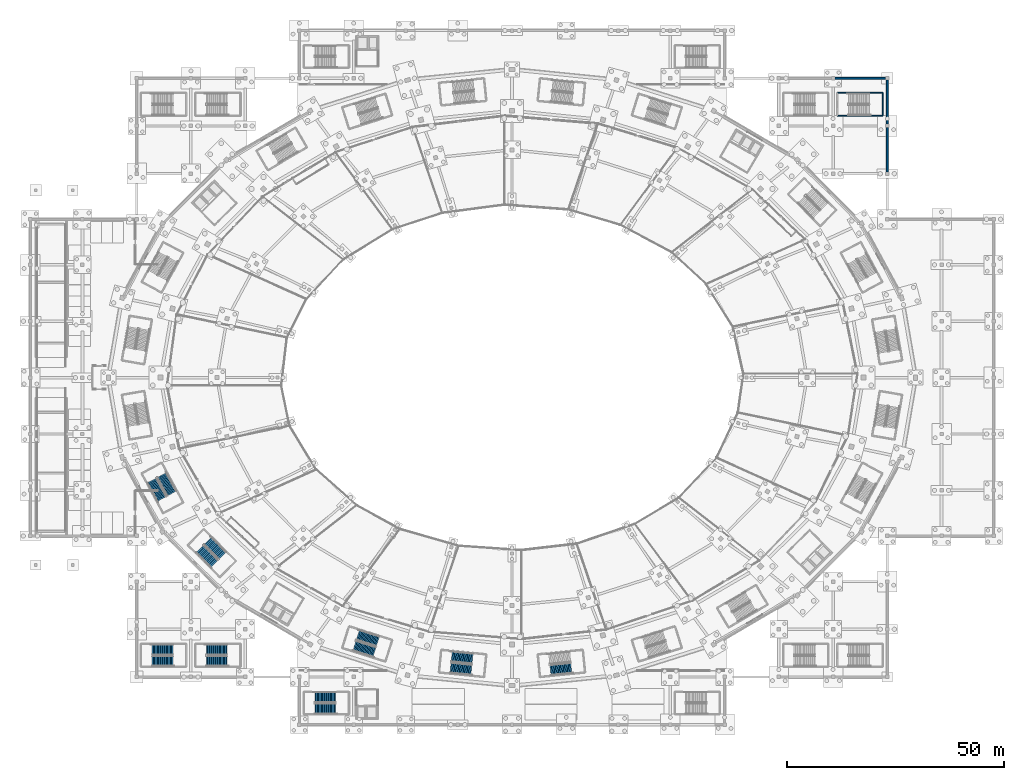
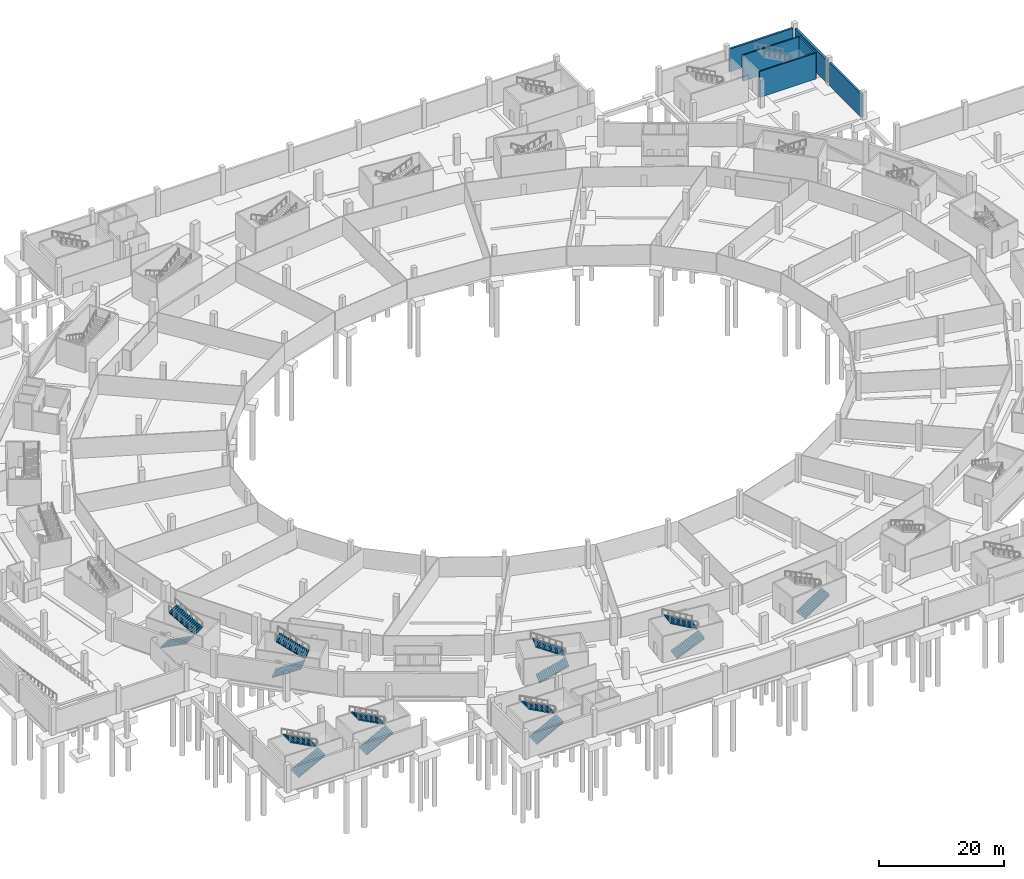
# One storey, part 48 of 74: 15 stair flights, 6 walls, 8 elements without a shape of their own.
"""IFC4 building model written with IfcOpenShell, lengths in metres."""

from ifc_helpers import new_model, si_unit, direction, frame, frame_2d, origin, place, context, subcontext, project, spatial, polyline, rectangle, outline, extrude, material, layer, layer_set, type_object, element, aggregate, save


model = new_model("IFC4")

# Units and contexts
model_context = context("Model", 3, precision=1e-05, world=origin(), true_north=direction((0.0, 1.0)))
body_context = subcontext(model_context, "Body", "Model", "MODEL_VIEW")
ifc_project = project(units=[si_unit("LENGTHUNIT", "METRE"), si_unit("AREAUNIT", "SQUARE_METRE"), si_unit("VOLUMEUNIT", "CUBIC_METRE"), si_unit("PLANEANGLEUNIT", "RADIAN"), si_unit("MASSUNIT", "GRAM", prefix="KILO")], contexts=[model_context])

# Site, building, storey
site_placement = place(None, origin())
site = spatial("IfcSite", under=ifc_project, at=site_placement, CompositionType="ELEMENT")
building_placement = place(site_placement, origin())
building = spatial("IfcBuilding", under=site, at=building_placement, Name="Zlatoyarsky Gate Stadium", CompositionType="ELEMENT")
storey_placement = place(building_placement, frame((0.0, 0.0, -5.39990234375)))
storey = spatial("IfcBuildingStorey", under=building, at=storey_placement, Name="B1", CompositionType="ELEMENT", Elevation=-5.39990234375)

# Walls
ifc_material_1 = material(Name="Concrete C35/45", Category="concrete")
ifc_layer_1 = layer(ifc_material_1, 0.3798828125)
ifc_layer_set_1 = layer_set([ifc_layer_1], Name="Concrete C35/45")
wall_type_1 = type_object("IfcWallType", Name="CONCRETE RAMP RETAINING WALL 380", PredefinedType="SOLIDWALL", material=ifc_layer_set_1)
wall_1_placement = place(storey_placement, frame((185.39697265625, 149.0, 0.0), z_axis=(0.0, 0.0, 1.0), x_axis=(1.0, 0.0, 0.0)))
element("IfcWall", 1, at=wall_1_placement, inside=storey, type_object=wall_type_1, Name="V6_NE B1 N exterior wall", PredefinedType="SOLIDWALL", context=body_context, shape_type="SweptSolid", body=[
    extrude(rectangle(XDim=11.7060546875, YDim=0.3798828125, at=frame_2d((5.85302734375, 0.0))), origin(), (0.0, 0.0, 1.0), 4.429931640625),
])
for number, where, z_axis, x_axis, name in (
    (2, (197.5, 127.39697265625, 0.0), (0.0, 0.0, 1.0), (0.0, 1.0, 0.0), "V6_NE B1 E exterior wall"),
    (3, (197.5, 138.39697265625, 0.0), (0.0, 0.0, 1.0), (0.0, 1.0, 0.0), "V6_NE B1 E exterior wall"),
):
    element("IfcWall", number, at=place(storey_placement, frame(where, z_axis=z_axis, x_axis=x_axis)), inside=storey, type_object=wall_type_1, Name=name, PredefinedType="SOLIDWALL", context=body_context, shape_type="SweptSolid", body=[
        extrude(rectangle(XDim=10.2060546875, YDim=0.3798828125, at=frame_2d((5.10302734375, 0.0))), origin(), (0.0, 0.0, 1.0), 4.429931640625),
    ])
ifc_material_2 = material(Name="Concrete C40/50", Category="concrete")
ifc_layer_2 = layer(ifc_material_2, 0.25)
ifc_layer_set_2 = layer_set([ifc_layer_2], Name="Concrete C40/50")
wall_type_2 = type_object("IfcWallType", Name="CONCRETE STAIR CORE SHEAR WALL 250", PredefinedType="SHEAR", material=ifc_layer_set_2)
wall_2_placement = place(storey_placement, frame((185.97509765625, 140.375, 0.0), z_axis=(0.0, 0.0, 1.0), x_axis=(1.0, 0.0, 0.0)))
element("IfcWall", 4, at=wall_2_placement, inside=storey, type_object=wall_type_2, Name="ST-28 B1 stair core left shear wall", PredefinedType="SHEAR", context=body_context, shape_type="SweptSolid", body=[
    extrude(rectangle(XDim=10.449951171875, YDim=0.25, at=frame_2d((5.22509765625, 0.0))), origin(), (0.0, 0.0, 1.0), 5.0498046875),
])
wall_3_placement = place(storey_placement, frame((196.425048828125, 140.375, 0.0), z_axis=(0.0, 0.0, 1.0), x_axis=(0.0, 1.0, 0.0)))
element("IfcWall", 5, at=wall_3_placement, inside=storey, type_object=wall_type_2, Name="ST-28 B1 stair core far shear wall", PredefinedType="SHEAR", context=body_context, shape_type="SweptSolid", body=[
    extrude(rectangle(XDim=5.25, YDim=0.25, at=frame_2d((2.625, 0.0))), origin(), (0.0, 0.0, 1.0), 5.0498046875),
])
wall_4_placement = place(storey_placement, frame((196.425048828125, 145.625, 0.0), z_axis=(0.0, 0.0, 1.0), x_axis=(-1.0, 0.0, 0.0)))
element("IfcWall", 6, at=wall_4_placement, inside=storey, type_object=wall_type_2, Name="ST-28 B1 stair core right shear wall", PredefinedType="SHEAR", context=body_context, shape_type="SweptSolid", body=[
    extrude(rectangle(XDim=10.449951171875, YDim=0.25, at=frame_2d((5.22509765625, 0.0))), origin(), (0.0, 0.0, 1.0), 5.0498046875),
])

# Stair, stair flights
stair_type = type_object("IfcStairType", Name="CONCRETE DOGLEG EXIT STAIR H5400", PredefinedType="TWO_STRAIGHT_RUN_STAIR", material=ifc_material_2)
stair_1_placement = place(storey_placement, origin())
stair_1 = element("IfcStair", 7, at=stair_1_placement, inside=storey, type_object=stair_type, Name="B1 Exit Stair ST-08", PredefinedType="TWO_STRAIGHT_RUN_STAIR")
stair_flight_type = type_object("IfcStairFlightType", Name="CONCRETE STAIR FLIGHT 2400 H5400", PredefinedType="STRAIGHT", material=ifc_material_2)
stair_flight_1_placement = place(storey_placement, frame((39.01806640625, 40.50341796875, 0.0), z_axis=(0.0, 0.0, 1.0), x_axis=(0.708901395436, -0.70530760066, 0.0)))
stair_flight_1 = element("IfcStairFlight", 8, at=stair_flight_1_placement, type_object=stair_flight_type, Name="ST-DG54 flight 1", NumberOfRisers=17, NumberOfTreads=16, PredefinedType="STRAIGHT", RiserHeight=0.158823529, TreadLength=0.3, context=body_context, shape_type="SweptSolid", body=[
    extrude(outline(polyline([(-0.006103515625, -0.180908203125), (-0.006103515625, 0.0), (0.0, 0.0), (0.0, 0.158935546875), (0.300048828125, 0.158935546875), (0.300048828125, 0.317626953125), (0.60009765625, 0.317626953125), (0.60009765625, 0.4765625), (0.89990234375, 0.4765625), (0.89990234375, 0.63525390625), (1.199951171875, 0.63525390625), (1.199951171875, 0.794189453125), (1.5, 0.794189453125), (1.5, 0.952880859375), (1.800048828125, 0.952880859375), (1.800048828125, 1.11181640625), (2.10009765625, 1.11181640625), (2.10009765625, 1.2705078125), (2.39990234375, 1.2705078125), (2.39990234375, 1.429443359375), (2.699951171875, 1.429443359375), (2.699951171875, 1.588134765625), (3.0, 1.588134765625), (3.0, 1.7470703125), (3.300048828125, 1.7470703125), (3.300048828125, 1.90576171875), (3.60009765625, 1.90576171875), (3.60009765625, 2.064697265625), (3.89990234375, 2.064697265625), (3.89990234375, 2.2236328125), (4.199951171875, 2.2236328125), (4.199951171875, 2.38232421875), (4.5, 2.38232421875), (4.5, 2.541259765625), (4.800048828125, 2.541259765625), (4.800048828125, 2.699951171875), (4.805908203125, 2.699951171875), (4.805908203125, 2.3603515625), (4.800048828125, 2.3603515625), (-0.006103515625, -0.180908203125)])), frame((0.0, 1.199951171875, 0.0), z_axis=(0.0, -1.0, 0.0), x_axis=(1.0, 0.0, 0.0)), (0.0, 0.0, 1.0), 2.39990234375),
])
stair_flight_2_placement = place(storey_placement, frame((44.254638671875, 38.9609375, 2.699951171875), z_axis=(0.0, 0.0, 1.0), x_axis=(-0.708901395436, 0.70530760066, 0.0)))
stair_flight_2 = element("IfcStairFlight", 9, at=stair_flight_2_placement, type_object=stair_flight_type, Name="ST-DG54 flight 2", NumberOfRisers=17, NumberOfTreads=16, PredefinedType="STRAIGHT", RiserHeight=0.158823529, TreadLength=0.3, context=body_context, shape_type="SweptSolid", body=[
    extrude(outline(polyline([(-0.006103515625, -0.180908203125), (-0.006103515625, 0.0), (0.0, 0.0), (0.0, 0.158935546875), (0.300048828125, 0.158935546875), (0.300048828125, 0.317626953125), (0.60009765625, 0.317626953125), (0.60009765625, 0.4765625), (0.89990234375, 0.4765625), (0.89990234375, 0.63525390625), (1.199951171875, 0.63525390625), (1.199951171875, 0.794189453125), (1.5, 0.794189453125), (1.5, 0.952880859375), (1.800048828125, 0.952880859375), (1.800048828125, 1.11181640625), (2.10009765625, 1.11181640625), (2.10009765625, 1.2705078125), (2.39990234375, 1.2705078125), (2.39990234375, 1.429443359375), (2.699951171875, 1.429443359375), (2.699951171875, 1.588134765625), (3.0, 1.588134765625), (3.0, 1.7470703125), (3.300048828125, 1.7470703125), (3.300048828125, 1.90576171875), (3.60009765625, 1.90576171875), (3.60009765625, 2.064697265625), (3.89990234375, 2.064697265625), (3.89990234375, 2.2236328125), (4.199951171875, 2.2236328125), (4.199951171875, 2.38232421875), (4.5, 2.38232421875), (4.5, 2.541259765625), (4.800048828125, 2.541259765625), (4.800048828125, 2.699951171875), (4.805908203125, 2.699951171875), (4.805908203125, 2.3603515625), (4.800048828125, 2.3603515625), (-0.006103515625, -0.180908203125)])), frame((0.0, 1.199951171875, 0.0), z_axis=(0.0, -1.0, 0.0), x_axis=(1.0, 0.0, 0.0)), (0.0, 0.0, 1.0), 2.39990234375),
])
aggregate(stair_1, [stair_flight_1, stair_flight_2])

stair_2_placement = place(storey_placement, origin())
stair_2 = element("IfcStair", 10, at=stair_2_placement, inside=storey, type_object=stair_type, Name="B1 Exit Stair ST-09", PredefinedType="TWO_STRAIGHT_RUN_STAIR")
stair_flight_3_placement = place(storey_placement, frame((74.70849609375, 18.179931640625, 0.0), z_axis=(0.0, 0.0, 1.0), x_axis=(0.953463118711, -0.301509670257, 0.0)))
stair_flight_3 = element("IfcStairFlight", 11, at=stair_flight_3_placement, type_object=stair_flight_type, Name="ST-DG54 flight 1", NumberOfRisers=17, NumberOfTreads=16, PredefinedType="STRAIGHT", RiserHeight=0.158823529, TreadLength=0.3, context=body_context, shape_type="SweptSolid", body=[
    extrude(outline(polyline([(-0.006103515625, -0.180908203125), (-0.006103515625, 0.0), (0.0, 0.0), (0.0, 0.158935546875), (0.300048828125, 0.158935546875), (0.300048828125, 0.317626953125), (0.60009765625, 0.317626953125), (0.60009765625, 0.4765625), (0.89990234375, 0.4765625), (0.89990234375, 0.63525390625), (1.199951171875, 0.63525390625), (1.199951171875, 0.794189453125), (1.5, 0.794189453125), (1.5, 0.952880859375), (1.800048828125, 0.952880859375), (1.800048828125, 1.11181640625), (2.10009765625, 1.11181640625), (2.10009765625, 1.2705078125), (2.39990234375, 1.2705078125), (2.39990234375, 1.429443359375), (2.699951171875, 1.429443359375), (2.699951171875, 1.588134765625), (3.0, 1.588134765625), (3.0, 1.7470703125), (3.300048828125, 1.7470703125), (3.300048828125, 1.90576171875), (3.60009765625, 1.90576171875), (3.60009765625, 2.064697265625), (3.89990234375, 2.064697265625), (3.89990234375, 2.2236328125), (4.199951171875, 2.2236328125), (4.199951171875, 2.38232421875), (4.5, 2.38232421875), (4.5, 2.541259765625), (4.800048828125, 2.541259765625), (4.800048828125, 2.699951171875), (4.805908203125, 2.699951171875), (4.805908203125, 2.3603515625), (4.800048828125, 2.3603515625), (-0.006103515625, -0.180908203125)])), frame((0.0, 1.199951171875, 0.0), z_axis=(0.0, -1.0, 0.0), x_axis=(1.0, 0.0, 0.0)), (0.0, 0.0, 1.0), 2.39990234375),
])
stair_flight_4_placement = place(storey_placement, frame((80.069091796875, 19.211669921875, 2.699951171875), z_axis=(0.0, 0.0, 1.0), x_axis=(-0.953463118711, 0.301509670257, 0.0)))
stair_flight_4 = element("IfcStairFlight", 12, at=stair_flight_4_placement, type_object=stair_flight_type, Name="ST-DG54 flight 2", NumberOfRisers=17, NumberOfTreads=16, PredefinedType="STRAIGHT", RiserHeight=0.158823529, TreadLength=0.3, context=body_context, shape_type="SweptSolid", body=[
    extrude(outline(polyline([(-0.006103515625, -0.180908203125), (-0.006103515625, 0.0), (0.0, 0.0), (0.0, 0.158935546875), (0.300048828125, 0.158935546875), (0.300048828125, 0.317626953125), (0.60009765625, 0.317626953125), (0.60009765625, 0.4765625), (0.89990234375, 0.4765625), (0.89990234375, 0.63525390625), (1.199951171875, 0.63525390625), (1.199951171875, 0.794189453125), (1.5, 0.794189453125), (1.5, 0.952880859375), (1.800048828125, 0.952880859375), (1.800048828125, 1.11181640625), (2.10009765625, 1.11181640625), (2.10009765625, 1.2705078125), (2.39990234375, 1.2705078125), (2.39990234375, 1.429443359375), (2.699951171875, 1.429443359375), (2.699951171875, 1.588134765625), (3.0, 1.588134765625), (3.0, 1.7470703125), (3.300048828125, 1.7470703125), (3.300048828125, 1.90576171875), (3.60009765625, 1.90576171875), (3.60009765625, 2.064697265625), (3.89990234375, 2.064697265625), (3.89990234375, 2.2236328125), (4.199951171875, 2.2236328125), (4.199951171875, 2.38232421875), (4.5, 2.38232421875), (4.5, 2.541259765625), (4.800048828125, 2.541259765625), (4.800048828125, 2.699951171875), (4.805908203125, 2.699951171875), (4.805908203125, 2.3603515625), (4.800048828125, 2.3603515625), (-0.006103515625, -0.180908203125)])), frame((0.0, 1.199951171875, 0.0), z_axis=(0.0, -1.0, 0.0), x_axis=(1.0, 0.0, 0.0)), (0.0, 0.0, 1.0), 2.39990234375),
])
aggregate(stair_2, [stair_flight_3, stair_flight_4])

# Stair, stair flight
stair_3_placement = place(storey_placement, origin())
stair_3 = element("IfcStair", 13, at=stair_3_placement, inside=storey, type_object=stair_type, Name="B1 Exit Stair ST-10", PredefinedType="TWO_STRAIGHT_RUN_STAIR")
stair_flight_5_placement = place(storey_placement, frame((119.876220703125, 12.5732421875, 0.0), z_axis=(0.0, 0.0, 1.0), x_axis=(0.994986861964, 0.100005722426, 0.0)))
stair_flight_5 = element("IfcStairFlight", 14, at=stair_flight_5_placement, type_object=stair_flight_type, Name="ST-DG54 flight 1", NumberOfRisers=17, NumberOfTreads=16, PredefinedType="STRAIGHT", RiserHeight=0.158823529, TreadLength=0.3, context=body_context, shape_type="SweptSolid", body=[
    extrude(outline(polyline([(-0.006103515625, -0.180908203125), (-0.006103515625, 0.0), (0.0, 0.0), (0.0, 0.158935546875), (0.300048828125, 0.158935546875), (0.300048828125, 0.317626953125), (0.60009765625, 0.317626953125), (0.60009765625, 0.4765625), (0.89990234375, 0.4765625), (0.89990234375, 0.63525390625), (1.199951171875, 0.63525390625), (1.199951171875, 0.794189453125), (1.5, 0.794189453125), (1.5, 0.952880859375), (1.800048828125, 0.952880859375), (1.800048828125, 1.11181640625), (2.10009765625, 1.11181640625), (2.10009765625, 1.2705078125), (2.39990234375, 1.2705078125), (2.39990234375, 1.429443359375), (2.699951171875, 1.429443359375), (2.699951171875, 1.588134765625), (3.0, 1.588134765625), (3.0, 1.7470703125), (3.300048828125, 1.7470703125), (3.300048828125, 1.90576171875), (3.60009765625, 1.90576171875), (3.60009765625, 2.064697265625), (3.89990234375, 2.064697265625), (3.89990234375, 2.2236328125), (4.199951171875, 2.2236328125), (4.199951171875, 2.38232421875), (4.5, 2.38232421875), (4.5, 2.541259765625), (4.800048828125, 2.541259765625), (4.800048828125, 2.699951171875), (4.805908203125, 2.699951171875), (4.805908203125, 2.3603515625), (4.800048828125, 2.3603515625), (-0.006103515625, -0.180908203125)])), frame((0.0, 1.199951171875, 0.0), z_axis=(0.0, -1.0, 0.0), x_axis=(1.0, 0.0, 0.0)), (0.0, 0.0, 1.0), 2.39990234375),
])
aggregate(stair_3, [stair_flight_5])

# Stair, stair flights
stair_4_placement = place(storey_placement, origin())
stair_4 = element("IfcStair", 15, at=stair_4_placement, inside=storey, type_object=stair_type, Name="B1 Exit Stair ST-15", PredefinedType="TWO_STRAIGHT_RUN_STAIR")
stair_flight_6_placement = place(storey_placement, frame((28.0244140625, 56.284912109375, 0.0), z_axis=(0.0, 0.0, 1.0), x_axis=(0.476890318595, -0.878962811518, 0.0)))
stair_flight_6 = element("IfcStairFlight", 16, at=stair_flight_6_placement, type_object=stair_flight_type, Name="ST-DG54 flight 1", NumberOfRisers=17, NumberOfTreads=16, PredefinedType="STRAIGHT", RiserHeight=0.158823529, TreadLength=0.3, context=body_context, shape_type="SweptSolid", body=[
    extrude(outline(polyline([(-0.006103515625, -0.180908203125), (-0.006103515625, 0.0), (0.0, 0.0), (0.0, 0.158935546875), (0.300048828125, 0.158935546875), (0.300048828125, 0.317626953125), (0.60009765625, 0.317626953125), (0.60009765625, 0.4765625), (0.89990234375, 0.4765625), (0.89990234375, 0.63525390625), (1.199951171875, 0.63525390625), (1.199951171875, 0.794189453125), (1.5, 0.794189453125), (1.5, 0.952880859375), (1.800048828125, 0.952880859375), (1.800048828125, 1.11181640625), (2.10009765625, 1.11181640625), (2.10009765625, 1.2705078125), (2.39990234375, 1.2705078125), (2.39990234375, 1.429443359375), (2.699951171875, 1.429443359375), (2.699951171875, 1.588134765625), (3.0, 1.588134765625), (3.0, 1.7470703125), (3.300048828125, 1.7470703125), (3.300048828125, 1.90576171875), (3.60009765625, 1.90576171875), (3.60009765625, 2.064697265625), (3.89990234375, 2.064697265625), (3.89990234375, 2.2236328125), (4.199951171875, 2.2236328125), (4.199951171875, 2.38232421875), (4.5, 2.38232421875), (4.5, 2.541259765625), (4.800048828125, 2.541259765625), (4.800048828125, 2.699951171875), (4.805908203125, 2.699951171875), (4.805908203125, 2.3603515625), (4.800048828125, 2.3603515625), (-0.006103515625, -0.180908203125)])), frame((0.0, 1.199951171875, 0.0), z_axis=(0.0, -1.0, 0.0), x_axis=(1.0, 0.0, 0.0)), (0.0, 0.0, 1.0), 2.39990234375),
])
stair_flight_7_placement = place(storey_placement, frame((32.5986328125, 53.305908203125, 2.699951171875), z_axis=(0.0, 0.0, 1.0), x_axis=(-0.476890318595, 0.878962811518, 0.0)))
stair_flight_7 = element("IfcStairFlight", 17, at=stair_flight_7_placement, type_object=stair_flight_type, Name="ST-DG54 flight 2", NumberOfRisers=17, NumberOfTreads=16, PredefinedType="STRAIGHT", RiserHeight=0.158823529, TreadLength=0.3, context=body_context, shape_type="SweptSolid", body=[
    extrude(outline(polyline([(-0.006103515625, -0.180908203125), (-0.006103515625, 0.0), (0.0, 0.0), (0.0, 0.158935546875), (0.300048828125, 0.158935546875), (0.300048828125, 0.317626953125), (0.60009765625, 0.317626953125), (0.60009765625, 0.4765625), (0.89990234375, 0.4765625), (0.89990234375, 0.63525390625), (1.199951171875, 0.63525390625), (1.199951171875, 0.794189453125), (1.5, 0.794189453125), (1.5, 0.952880859375), (1.800048828125, 0.952880859375), (1.800048828125, 1.11181640625), (2.10009765625, 1.11181640625), (2.10009765625, 1.2705078125), (2.39990234375, 1.2705078125), (2.39990234375, 1.429443359375), (2.699951171875, 1.429443359375), (2.699951171875, 1.588134765625), (3.0, 1.588134765625), (3.0, 1.7470703125), (3.300048828125, 1.7470703125), (3.300048828125, 1.90576171875), (3.60009765625, 1.90576171875), (3.60009765625, 2.064697265625), (3.89990234375, 2.064697265625), (3.89990234375, 2.2236328125), (4.199951171875, 2.2236328125), (4.199951171875, 2.38232421875), (4.5, 2.38232421875), (4.5, 2.541259765625), (4.800048828125, 2.541259765625), (4.800048828125, 2.699951171875), (4.805908203125, 2.699951171875), (4.805908203125, 2.3603515625), (4.800048828125, 2.3603515625), (-0.006103515625, -0.180908203125)])), frame((0.0, 1.199951171875, 0.0), z_axis=(0.0, -1.0, 0.0), x_axis=(1.0, 0.0, 0.0)), (0.0, 0.0, 1.0), 2.39990234375),
])
aggregate(stair_4, [stair_flight_6, stair_flight_7])

stair_5_placement = place(storey_placement, origin())
stair_5 = element("IfcStair", 18, at=stair_5_placement, inside=storey, type_object=stair_type, Name="B1 Exit Stair ST-19", PredefinedType="TWO_STRAIGHT_RUN_STAIR")
stair_flight_8_placement = place(storey_placement, frame((96.850341796875, 13.103271484375, 0.0), z_axis=(0.0, 0.0, 1.0), x_axis=(0.994986861964, -0.100005722426, 0.0)))
stair_flight_8 = element("IfcStairFlight", 19, at=stair_flight_8_placement, type_object=stair_flight_type, Name="ST-DG54 flight 1", NumberOfRisers=17, NumberOfTreads=16, PredefinedType="STRAIGHT", RiserHeight=0.158823529, TreadLength=0.3, context=body_context, shape_type="SweptSolid", body=[
    extrude(outline(polyline([(-0.006103515625, -0.180908203125), (-0.006103515625, 0.0), (0.0, 0.0), (0.0, 0.158935546875), (0.300048828125, 0.158935546875), (0.300048828125, 0.317626953125), (0.60009765625, 0.317626953125), (0.60009765625, 0.4765625), (0.89990234375, 0.4765625), (0.89990234375, 0.63525390625), (1.199951171875, 0.63525390625), (1.199951171875, 0.794189453125), (1.5, 0.794189453125), (1.5, 0.952880859375), (1.800048828125, 0.952880859375), (1.800048828125, 1.11181640625), (2.10009765625, 1.11181640625), (2.10009765625, 1.2705078125), (2.39990234375, 1.2705078125), (2.39990234375, 1.429443359375), (2.699951171875, 1.429443359375), (2.699951171875, 1.588134765625), (3.0, 1.588134765625), (3.0, 1.7470703125), (3.300048828125, 1.7470703125), (3.300048828125, 1.90576171875), (3.60009765625, 1.90576171875), (3.60009765625, 2.064697265625), (3.89990234375, 2.064697265625), (3.89990234375, 2.2236328125), (4.199951171875, 2.2236328125), (4.199951171875, 2.38232421875), (4.5, 2.38232421875), (4.5, 2.541259765625), (4.800048828125, 2.541259765625), (4.800048828125, 2.699951171875), (4.805908203125, 2.699951171875), (4.805908203125, 2.3603515625), (4.800048828125, 2.3603515625), (-0.006103515625, -0.180908203125)])), frame((0.0, 1.199951171875, 0.0), z_axis=(0.0, -1.0, 0.0), x_axis=(1.0, 0.0, 0.0)), (0.0, 0.0, 1.0), 2.39990234375),
])
stair_flight_9_placement = place(storey_placement, frame((101.886474609375, 15.210205078125, 2.699951171875), z_axis=(0.0, 0.0, 1.0), x_axis=(-0.994986861964, 0.100005722426, 0.0)))
stair_flight_9 = element("IfcStairFlight", 20, at=stair_flight_9_placement, type_object=stair_flight_type, Name="ST-DG54 flight 2", NumberOfRisers=17, NumberOfTreads=16, PredefinedType="STRAIGHT", RiserHeight=0.158823529, TreadLength=0.3, context=body_context, shape_type="SweptSolid", body=[
    extrude(outline(polyline([(-0.006103515625, -0.180908203125), (-0.006103515625, 0.0), (0.0, 0.0), (0.0, 0.158935546875), (0.300048828125, 0.158935546875), (0.300048828125, 0.317626953125), (0.60009765625, 0.317626953125), (0.60009765625, 0.4765625), (0.89990234375, 0.4765625), (0.89990234375, 0.63525390625), (1.199951171875, 0.63525390625), (1.199951171875, 0.794189453125), (1.5, 0.794189453125), (1.5, 0.952880859375), (1.800048828125, 0.952880859375), (1.800048828125, 1.11181640625), (2.10009765625, 1.11181640625), (2.10009765625, 1.2705078125), (2.39990234375, 1.2705078125), (2.39990234375, 1.429443359375), (2.699951171875, 1.429443359375), (2.699951171875, 1.588134765625), (3.0, 1.588134765625), (3.0, 1.7470703125), (3.300048828125, 1.7470703125), (3.300048828125, 1.90576171875), (3.60009765625, 1.90576171875), (3.60009765625, 2.064697265625), (3.89990234375, 2.064697265625), (3.89990234375, 2.2236328125), (4.199951171875, 2.2236328125), (4.199951171875, 2.38232421875), (4.5, 2.38232421875), (4.5, 2.541259765625), (4.800048828125, 2.541259765625), (4.800048828125, 2.699951171875), (4.805908203125, 2.699951171875), (4.805908203125, 2.3603515625), (4.800048828125, 2.3603515625), (-0.006103515625, -0.180908203125)])), frame((0.0, 1.199951171875, 0.0), z_axis=(0.0, -1.0, 0.0), x_axis=(1.0, 0.0, 0.0)), (0.0, 0.0, 1.0), 2.39990234375),
])
aggregate(stair_5, [stair_flight_8, stair_flight_9])

stair_6_placement = place(storey_placement, origin())
stair_6 = element("IfcStair", 21, at=stair_6_placement, inside=storey, type_object=stair_type, Name="B1 Exit Stair ST-21", PredefinedType="TWO_STRAIGHT_RUN_STAIR")
stair_flight_10_placement = place(storey_placement, frame((28.050048828125, 14.699951171875, 0.0), z_axis=(0.0, 0.0, 1.0), x_axis=(1.0, 0.0, 0.0)))
stair_flight_10 = element("IfcStairFlight", 22, at=stair_flight_10_placement, type_object=stair_flight_type, Name="ST-DG54 flight 1", NumberOfRisers=17, NumberOfTreads=16, PredefinedType="STRAIGHT", RiserHeight=0.158823529, TreadLength=0.3, context=body_context, shape_type="SweptSolid", body=[
    extrude(outline(polyline([(-0.006103515625, -0.180908203125), (-0.006103515625, 0.0), (0.0, 0.0), (0.0, 0.158935546875), (0.300048828125, 0.158935546875), (0.300048828125, 0.317626953125), (0.60009765625, 0.317626953125), (0.60009765625, 0.4765625), (0.89990234375, 0.4765625), (0.89990234375, 0.63525390625), (1.199951171875, 0.63525390625), (1.199951171875, 0.794189453125), (1.5, 0.794189453125), (1.5, 0.952880859375), (1.800048828125, 0.952880859375), (1.800048828125, 1.11181640625), (2.10009765625, 1.11181640625), (2.10009765625, 1.2705078125), (2.39990234375, 1.2705078125), (2.39990234375, 1.429443359375), (2.699951171875, 1.429443359375), (2.699951171875, 1.588134765625), (3.0, 1.588134765625), (3.0, 1.7470703125), (3.300048828125, 1.7470703125), (3.300048828125, 1.90576171875), (3.60009765625, 1.90576171875), (3.60009765625, 2.064697265625), (3.89990234375, 2.064697265625), (3.89990234375, 2.2236328125), (4.199951171875, 2.2236328125), (4.199951171875, 2.38232421875), (4.5, 2.38232421875), (4.5, 2.541259765625), (4.800048828125, 2.541259765625), (4.800048828125, 2.699951171875), (4.805908203125, 2.699951171875), (4.805908203125, 2.3603515625), (4.800048828125, 2.3603515625), (-0.006103515625, -0.180908203125)])), frame((0.0, 1.199951171875, 0.0), z_axis=(0.0, -1.0, 0.0), x_axis=(1.0, 0.0, 0.0)), (0.0, 0.0, 1.0), 2.39990234375),
])
stair_flight_11_placement = place(storey_placement, frame((32.85009765625, 17.300048828125, 2.699951171875), z_axis=(0.0, 0.0, 1.0), x_axis=(-1.0, 0.0, 0.0)))
stair_flight_11 = element("IfcStairFlight", 23, at=stair_flight_11_placement, type_object=stair_flight_type, Name="ST-DG54 flight 2", NumberOfRisers=17, NumberOfTreads=16, PredefinedType="STRAIGHT", RiserHeight=0.158823529, TreadLength=0.3, context=body_context, shape_type="SweptSolid", body=[
    extrude(outline(polyline([(-0.006103515625, -0.180908203125), (-0.006103515625, 0.0), (0.0, 0.0), (0.0, 0.158935546875), (0.300048828125, 0.158935546875), (0.300048828125, 0.317626953125), (0.60009765625, 0.317626953125), (0.60009765625, 0.4765625), (0.89990234375, 0.4765625), (0.89990234375, 0.63525390625), (1.199951171875, 0.63525390625), (1.199951171875, 0.794189453125), (1.5, 0.794189453125), (1.5, 0.952880859375), (1.800048828125, 0.952880859375), (1.800048828125, 1.11181640625), (2.10009765625, 1.11181640625), (2.10009765625, 1.2705078125), (2.39990234375, 1.2705078125), (2.39990234375, 1.429443359375), (2.699951171875, 1.429443359375), (2.699951171875, 1.588134765625), (3.0, 1.588134765625), (3.0, 1.7470703125), (3.300048828125, 1.7470703125), (3.300048828125, 1.90576171875), (3.60009765625, 1.90576171875), (3.60009765625, 2.064697265625), (3.89990234375, 2.064697265625), (3.89990234375, 2.2236328125), (4.199951171875, 2.2236328125), (4.199951171875, 2.38232421875), (4.5, 2.38232421875), (4.5, 2.541259765625), (4.800048828125, 2.541259765625), (4.800048828125, 2.699951171875), (4.805908203125, 2.699951171875), (4.805908203125, 2.3603515625), (4.800048828125, 2.3603515625), (-0.006103515625, -0.180908203125)])), frame((0.0, 1.199951171875, 0.0), z_axis=(0.0, -1.0, 0.0), x_axis=(1.0, 0.0, 0.0)), (0.0, 0.0, 1.0), 2.39990234375),
])
aggregate(stair_6, [stair_flight_10, stair_flight_11])

stair_7_placement = place(storey_placement, origin())
stair_7 = element("IfcStair", 24, at=stair_7_placement, inside=storey, type_object=stair_type, Name="B1 Exit Stair ST-22", PredefinedType="TWO_STRAIGHT_RUN_STAIR")
stair_flight_12_placement = place(storey_placement, frame((40.550048828125, 14.699951171875, 0.0), z_axis=(0.0, 0.0, 1.0), x_axis=(1.0, 0.0, 0.0)))
stair_flight_12 = element("IfcStairFlight", 25, at=stair_flight_12_placement, type_object=stair_flight_type, Name="ST-DG54 flight 1", NumberOfRisers=17, NumberOfTreads=16, PredefinedType="STRAIGHT", RiserHeight=0.158823529, TreadLength=0.3, context=body_context, shape_type="SweptSolid", body=[
    extrude(outline(polyline([(-0.006103515625, -0.180908203125), (-0.006103515625, 0.0), (0.0, 0.0), (0.0, 0.158935546875), (0.300048828125, 0.158935546875), (0.300048828125, 0.317626953125), (0.60009765625, 0.317626953125), (0.60009765625, 0.4765625), (0.89990234375, 0.4765625), (0.89990234375, 0.63525390625), (1.199951171875, 0.63525390625), (1.199951171875, 0.794189453125), (1.5, 0.794189453125), (1.5, 0.952880859375), (1.800048828125, 0.952880859375), (1.800048828125, 1.11181640625), (2.10009765625, 1.11181640625), (2.10009765625, 1.2705078125), (2.39990234375, 1.2705078125), (2.39990234375, 1.429443359375), (2.699951171875, 1.429443359375), (2.699951171875, 1.588134765625), (3.0, 1.588134765625), (3.0, 1.7470703125), (3.300048828125, 1.7470703125), (3.300048828125, 1.90576171875), (3.60009765625, 1.90576171875), (3.60009765625, 2.064697265625), (3.89990234375, 2.064697265625), (3.89990234375, 2.2236328125), (4.199951171875, 2.2236328125), (4.199951171875, 2.38232421875), (4.5, 2.38232421875), (4.5, 2.541259765625), (4.800048828125, 2.541259765625), (4.800048828125, 2.699951171875), (4.805908203125, 2.699951171875), (4.805908203125, 2.3603515625), (4.800048828125, 2.3603515625), (-0.006103515625, -0.180908203125)])), frame((0.0, 1.199951171875, 0.0), z_axis=(0.0, -1.0, 0.0), x_axis=(1.0, 0.0, 0.0)), (0.0, 0.0, 1.0), 2.39990234375),
])
stair_flight_13_placement = place(storey_placement, frame((45.35009765625, 17.300048828125, 2.699951171875), z_axis=(0.0, 0.0, 1.0), x_axis=(-1.0, 0.0, 0.0)))
stair_flight_13 = element("IfcStairFlight", 26, at=stair_flight_13_placement, type_object=stair_flight_type, Name="ST-DG54 flight 2", NumberOfRisers=17, NumberOfTreads=16, PredefinedType="STRAIGHT", RiserHeight=0.158823529, TreadLength=0.3, context=body_context, shape_type="SweptSolid", body=[
    extrude(outline(polyline([(-0.006103515625, -0.180908203125), (-0.006103515625, 0.0), (0.0, 0.0), (0.0, 0.158935546875), (0.300048828125, 0.158935546875), (0.300048828125, 0.317626953125), (0.60009765625, 0.317626953125), (0.60009765625, 0.4765625), (0.89990234375, 0.4765625), (0.89990234375, 0.63525390625), (1.199951171875, 0.63525390625), (1.199951171875, 0.794189453125), (1.5, 0.794189453125), (1.5, 0.952880859375), (1.800048828125, 0.952880859375), (1.800048828125, 1.11181640625), (2.10009765625, 1.11181640625), (2.10009765625, 1.2705078125), (2.39990234375, 1.2705078125), (2.39990234375, 1.429443359375), (2.699951171875, 1.429443359375), (2.699951171875, 1.588134765625), (3.0, 1.588134765625), (3.0, 1.7470703125), (3.300048828125, 1.7470703125), (3.300048828125, 1.90576171875), (3.60009765625, 1.90576171875), (3.60009765625, 2.064697265625), (3.89990234375, 2.064697265625), (3.89990234375, 2.2236328125), (4.199951171875, 2.2236328125), (4.199951171875, 2.38232421875), (4.5, 2.38232421875), (4.5, 2.541259765625), (4.800048828125, 2.541259765625), (4.800048828125, 2.699951171875), (4.805908203125, 2.699951171875), (4.805908203125, 2.3603515625), (4.800048828125, 2.3603515625), (-0.006103515625, -0.180908203125)])), frame((0.0, 1.199951171875, 0.0), z_axis=(0.0, -1.0, 0.0), x_axis=(1.0, 0.0, 0.0)), (0.0, 0.0, 1.0), 2.39990234375),
])
aggregate(stair_7, [stair_flight_12, stair_flight_13])

stair_8_placement = place(storey_placement, origin())
stair_8 = element("IfcStair", 27, at=stair_8_placement, inside=storey, type_object=stair_type, Name="B1 Exit Stair ST-29", PredefinedType="TWO_STRAIGHT_RUN_STAIR")
stair_flight_14_placement = place(storey_placement, frame((65.550048828125, 3.699951171875, 0.0), z_axis=(0.0, 0.0, 1.0), x_axis=(1.0, 0.0, 0.0)))
stair_flight_14 = element("IfcStairFlight", 28, at=stair_flight_14_placement, type_object=stair_flight_type, Name="ST-DG54 flight 1", NumberOfRisers=17, NumberOfTreads=16, PredefinedType="STRAIGHT", RiserHeight=0.158823529, TreadLength=0.3, context=body_context, shape_type="SweptSolid", body=[
    extrude(outline(polyline([(-0.006103515625, -0.180908203125), (-0.006103515625, 0.0), (0.0, 0.0), (0.0, 0.158935546875), (0.300048828125, 0.158935546875), (0.300048828125, 0.317626953125), (0.60009765625, 0.317626953125), (0.60009765625, 0.4765625), (0.89990234375, 0.4765625), (0.89990234375, 0.63525390625), (1.199951171875, 0.63525390625), (1.199951171875, 0.794189453125), (1.5, 0.794189453125), (1.5, 0.952880859375), (1.800048828125, 0.952880859375), (1.800048828125, 1.11181640625), (2.10009765625, 1.11181640625), (2.10009765625, 1.2705078125), (2.39990234375, 1.2705078125), (2.39990234375, 1.429443359375), (2.699951171875, 1.429443359375), (2.699951171875, 1.588134765625), (3.0, 1.588134765625), (3.0, 1.7470703125), (3.300048828125, 1.7470703125), (3.300048828125, 1.90576171875), (3.60009765625, 1.90576171875), (3.60009765625, 2.064697265625), (3.89990234375, 2.064697265625), (3.89990234375, 2.2236328125), (4.199951171875, 2.2236328125), (4.199951171875, 2.38232421875), (4.5, 2.38232421875), (4.5, 2.541259765625), (4.800048828125, 2.541259765625), (4.800048828125, 2.699951171875), (4.805908203125, 2.699951171875), (4.805908203125, 2.3603515625), (4.800048828125, 2.3603515625), (-0.006103515625, -0.180908203125)])), frame((0.0, 1.199951171875, 0.0), z_axis=(0.0, -1.0, 0.0), x_axis=(1.0, 0.0, 0.0)), (0.0, 0.0, 1.0), 2.39990234375),
])
stair_flight_15_placement = place(storey_placement, frame((70.35009765625, 6.300048828125, 2.699951171875), z_axis=(0.0, 0.0, 1.0), x_axis=(-1.0, 0.0, 0.0)))
stair_flight_15 = element("IfcStairFlight", 29, at=stair_flight_15_placement, type_object=stair_flight_type, Name="ST-DG54 flight 2", NumberOfRisers=17, NumberOfTreads=16, PredefinedType="STRAIGHT", RiserHeight=0.158823529, TreadLength=0.3, context=body_context, shape_type="SweptSolid", body=[
    extrude(outline(polyline([(-0.006103515625, -0.180908203125), (-0.006103515625, 0.0), (0.0, 0.0), (0.0, 0.158935546875), (0.300048828125, 0.158935546875), (0.300048828125, 0.317626953125), (0.60009765625, 0.317626953125), (0.60009765625, 0.4765625), (0.89990234375, 0.4765625), (0.89990234375, 0.63525390625), (1.199951171875, 0.63525390625), (1.199951171875, 0.794189453125), (1.5, 0.794189453125), (1.5, 0.952880859375), (1.800048828125, 0.952880859375), (1.800048828125, 1.11181640625), (2.10009765625, 1.11181640625), (2.10009765625, 1.2705078125), (2.39990234375, 1.2705078125), (2.39990234375, 1.429443359375), (2.699951171875, 1.429443359375), (2.699951171875, 1.588134765625), (3.0, 1.588134765625), (3.0, 1.7470703125), (3.300048828125, 1.7470703125), (3.300048828125, 1.90576171875), (3.60009765625, 1.90576171875), (3.60009765625, 2.064697265625), (3.89990234375, 2.064697265625), (3.89990234375, 2.2236328125), (4.199951171875, 2.2236328125), (4.199951171875, 2.38232421875), (4.5, 2.38232421875), (4.5, 2.541259765625), (4.800048828125, 2.541259765625), (4.800048828125, 2.699951171875), (4.805908203125, 2.699951171875), (4.805908203125, 2.3603515625), (4.800048828125, 2.3603515625), (-0.006103515625, -0.180908203125)])), frame((0.0, 1.199951171875, 0.0), z_axis=(0.0, -1.0, 0.0), x_axis=(1.0, 0.0, 0.0)), (0.0, 0.0, 1.0), 2.39990234375),
])
aggregate(stair_8, [stair_flight_14, stair_flight_15])

save(model, "model.ifc")
